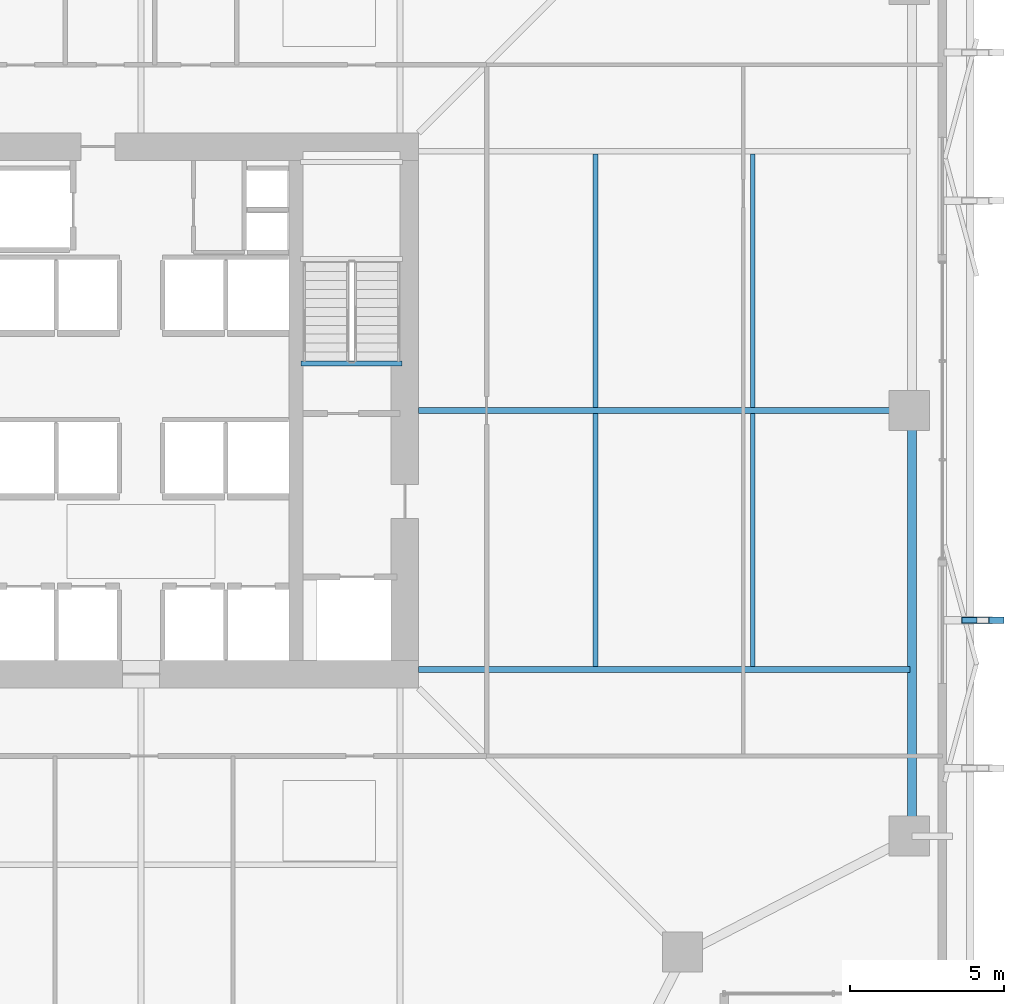
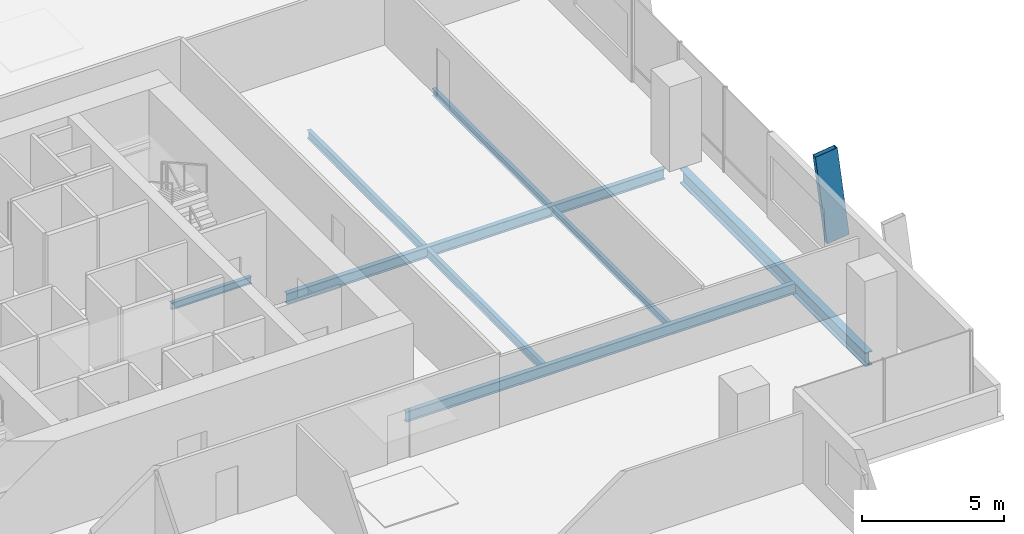
# One storey, part 15 of 34: 8 beams, 1 member.
"""IFC4 building model written with IfcOpenShell, lengths in metres."""

from ifc_helpers import new_model, si_unit, direction, frame, origin, origin_2d, place, context, subcontext, project, spatial, hollow_rectangle, i_section, extrude, material, material_profile, profile_set, type_object, element, save


model = new_model("IFC4")

# Units and contexts
model_context = context("Model", 3, precision=1e-05, world=origin(), true_north=direction((0.0, 1.0)))
body_context = subcontext(model_context, "Body", "Model", "MODEL_VIEW")
ifc_project = project(units=[si_unit("LENGTHUNIT", "METRE"), si_unit("AREAUNIT", "SQUARE_METRE"), si_unit("VOLUMEUNIT", "CUBIC_METRE"), si_unit("PLANEANGLEUNIT", "RADIAN"), si_unit("MASSUNIT", "GRAM", prefix="KILO")], contexts=[model_context])

# Site, building, storey
site_placement = place(None, origin())
site = spatial("IfcSite", under=ifc_project, at=site_placement, CompositionType="ELEMENT")
building_placement = place(site_placement, origin())
building = spatial("IfcBuilding", under=site, at=building_placement, Name="Belovzor Exchange Tower", CompositionType="ELEMENT")
storey_placement = place(building_placement, frame((0.0, 0.0, 113.39990234375)))
storey = spatial("IfcBuildingStorey", under=building, at=storey_placement, Name="L27", CompositionType="ELEMENT", Elevation=113.39990234375)

# Beams
ifc_material_1 = material(Name="Steel S355", Category="steel")
ifc_material_profile_1 = material_profile(ifc_material_1, i_section(OverallWidth=0.169921875, OverallDepth=0.360107421875, WebThickness=0.008056640625, FlangeThickness=0.0126953125, at=origin_2d()))
ifc_profile_set_1 = profile_set([ifc_material_profile_1], Name="Steel S355")
beam_type_1 = type_object("IfcBeamType", Name="Secondary Infill Floor Joist IPE 360", PredefinedType="BEAM", material=ifc_profile_set_1)
for number, where, z_axis, x_axis, name in (
    (1, (43.530029296875, 20.4951171875, -0.429931640625), (0.0, 1.0, 0.0), (-1.0, 0.0, 0.0), "FJ-360 Secondary Infill Floor Joist IPE 360"),
    (2, (43.530029296875, 28.89501953125, -0.429931640625), (0.0, 1.0, 0.0), (-1.0, 0.0, 0.0), "FJ-360 Secondary Infill Floor Joist IPE 360"),
):
    element("IfcBeam", number, at=place(storey_placement, frame(where, z_axis=z_axis, x_axis=x_axis)), inside=storey, type_object=beam_type_1, Name=name, PredefinedType="BEAM", context=body_context, shape_type="SweptSolid", body=[
        extrude(i_section(OverallWidth=0.169921875, OverallDepth=0.360107421875, WebThickness=0.008056640625, FlangeThickness=0.0126953125, at=origin_2d()), origin(), (0.0, 0.0, 1.0), 8.2099609375),
    ])
ifc_material_2 = material(Name="Steel S355", Category="steel")
ifc_material_profile_2 = material_profile(ifc_material_2, i_section(OverallWidth=0.14990234375, OverallDepth=0.300048828125, WebThickness=0.007080078125, FlangeThickness=0.0107421875, at=origin_2d()))
ifc_profile_set_2 = profile_set([ifc_material_profile_2], Name="Steel S355")
beam_type_2 = type_object("IfcBeamType", Name="Secondary Trim Floor Joist IPE 300", PredefinedType="BEAM", material=ifc_profile_set_2)
beam_1_placement = place(storey_placement, frame((37.260009765625, 30.320068359375, -0.39990234375), z_axis=(-1.0, 0.0, 0.0), x_axis=(0.0, -1.0, 0.0)))
element("IfcBeam", 3, at=beam_1_placement, inside=storey, type_object=beam_type_2, Name="FJ-300 Secondary Trim Floor Joist IPE 300", PredefinedType="BEAM", context=body_context, shape_type="SweptSolid", body=[
    extrude(i_section(OverallWidth=0.14990234375, OverallDepth=0.300048828125, WebThickness=0.007080078125, FlangeThickness=0.0107421875, at=origin_2d()), origin(), (0.0, 0.0, 1.0), 3.27001953125),
])
for number, where, z_axis, x_axis, name in (
    (4, (48.6240234375, 20.4951171875, -0.39990234375), (0.0, 1.0, 0.0), (-1.0, 0.0, 0.0), "FJ-300 Secondary Trim Floor Joist IPE 300"),
    (5, (48.6240234375, 28.89501953125, -0.39990234375), (0.0, 1.0, 0.0), (-1.0, 0.0, 0.0), "FJ-300 Secondary Trim Floor Joist IPE 300"),
):
    element("IfcBeam", number, at=place(storey_placement, frame(where, z_axis=z_axis, x_axis=x_axis)), inside=storey, type_object=beam_type_2, Name=name, PredefinedType="BEAM", context=body_context, shape_type="SweptSolid", body=[
        extrude(i_section(OverallWidth=0.14990234375, OverallDepth=0.300048828125, WebThickness=0.007080078125, FlangeThickness=0.0107421875, at=origin_2d()), origin(), (0.0, 0.0, 1.0), 8.2099609375),
    ])

# Member
ifc_material_3 = material(Name="Extruded Architectural Terracotta on Steel S355 Carrier", Category="masonry")
ifc_material_profile_3 = material_profile(ifc_material_3, hollow_rectangle(XDim=0.199951171875, YDim=0.89990234375, WallThickness=0.011962890625, at=origin_2d()))
ifc_profile_set_3 = profile_set([ifc_material_profile_3], Name="Extruded Architectural Terracotta on Steel S355 Carrier")
member_type = type_object("IfcMemberType", Name="Sweeping Terracotta Baguette Fin Assembly 1250", PredefinedType="USERDEFINED", material=ifc_profile_set_3)
member_placement = place(storey_placement, frame((56.324951171875, 22.0, -0.25), z_axis=(-0.122880110894, 0.0, 0.992421522513), x_axis=(0.0, -1.0, 0.0)))
element("IfcMember", 6, at=member_placement, inside=storey, type_object=member_type, Name="FIN-TC125 Terracotta Facade Fin L27 E2", ObjectType="FIN", PredefinedType="USERDEFINED", context=body_context, shape_type="SweptSolid", body=[
    extrude(hollow_rectangle(XDim=0.199951171875, YDim=0.89990234375, WallThickness=0.011962890625, at=origin_2d()), origin(), (0.0, 0.0, 1.0), 3.929931640625),
])

# Beams
ifc_material_4 = material(Name="Steel S355", Category="steel")
ifc_material_profile_4 = material_profile(ifc_material_4, i_section(OverallWidth=0.300048828125, OverallDepth=0.60009765625, WebThickness=0.015380859375, FlangeThickness=0.030029296875, at=origin_2d()))
ifc_profile_set_4 = profile_set([ifc_material_profile_4], Name="Steel S355")
beam_type_3 = type_object("IfcBeamType", Name="Zone 2 Primary Perimeter Girder HEB 600", PredefinedType="BEAM", material=ifc_profile_set_4)
beam_2_placement = place(storey_placement, frame((53.7919921875, 15.35693359375, -0.5498046875), z_axis=(0.0, 1.0, 0.0), x_axis=(-1.0, 0.0, 0.0)))
element("IfcBeam", 7, at=beam_2_placement, inside=storey, type_object=beam_type_3, Name="FG-Z2 Zone 2 Primary Perimeter Girder HEB 600", PredefinedType="BEAM", context=body_context, shape_type="SweptSolid", body=[
    extrude(i_section(OverallWidth=0.300048828125, OverallDepth=0.60009765625, WebThickness=0.015380859375, FlangeThickness=0.030029296875, at=origin_2d()), origin(), (0.0, 0.0, 1.0), 13.0849609375),
])
ifc_material_5 = material(Name="Steel S355", Category="steel")
ifc_material_profile_5 = material_profile(ifc_material_5, i_section(OverallWidth=0.18994140625, OverallDepth=0.449951171875, WebThickness=0.009521484375, FlangeThickness=0.0146484375, at=origin_2d()))
ifc_profile_set_5 = profile_set([ifc_material_profile_5], Name="Steel S355")
beam_type_4 = type_object("IfcBeamType", Name="Zone 2-4 Radial Composite Floor Beam IPE 450", PredefinedType="BEAM", material=ifc_profile_set_5)
beam_3_placement = place(storey_placement, frame((37.800048828125, 20.39990234375, -0.474853515625), z_axis=(1.0, 0.0, 0.0), x_axis=(0.0, 1.0, 0.0)))
element("IfcBeam", 8, at=beam_3_placement, inside=storey, type_object=beam_type_4, Name="FB-450 Zone 2-4 Radial Composite Floor Beam IPE 450", PredefinedType="BEAM", context=body_context, shape_type="SweptSolid", body=[
    extrude(i_section(OverallWidth=0.18994140625, OverallDepth=0.449951171875, WebThickness=0.009521484375, FlangeThickness=0.0146484375, at=origin_2d()), origin(), (0.0, 0.0, 1.0), 15.9169921875),
])
beam_4_placement = place(storey_placement, frame((37.800048828125, 28.800048828125, -0.474853515625), z_axis=(1.0, 0.0, 0.0), x_axis=(0.0, 1.0, 0.0)))
element("IfcBeam", 9, at=beam_4_placement, inside=storey, type_object=beam_type_4, Name="FB-450 Zone 2-4 Radial Composite Floor Beam IPE 450", PredefinedType="BEAM", context=body_context, shape_type="SweptSolid", body=[
    extrude(i_section(OverallWidth=0.18994140625, OverallDepth=0.449951171875, WebThickness=0.009521484375, FlangeThickness=0.0146484375, at=origin_2d()), origin(), (0.0, 0.0, 1.0), 15.406982421875),
])

save(model, "model.ifc")
